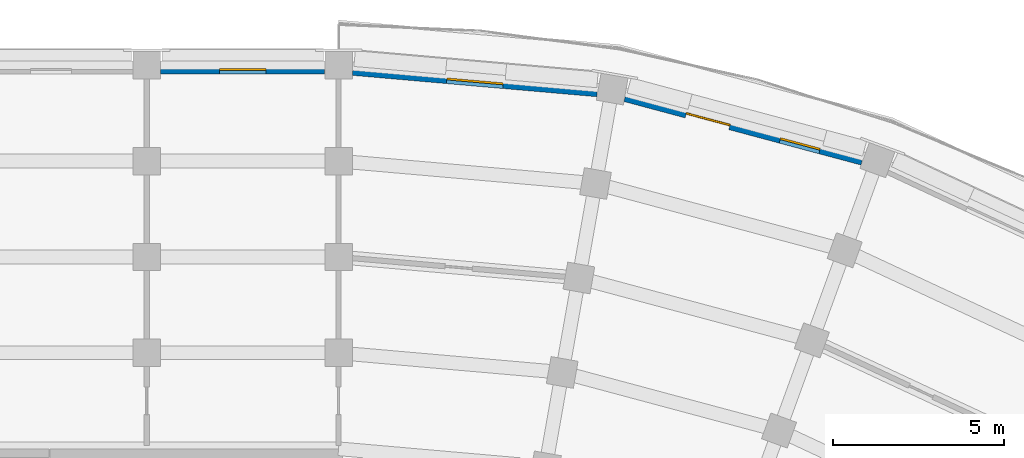
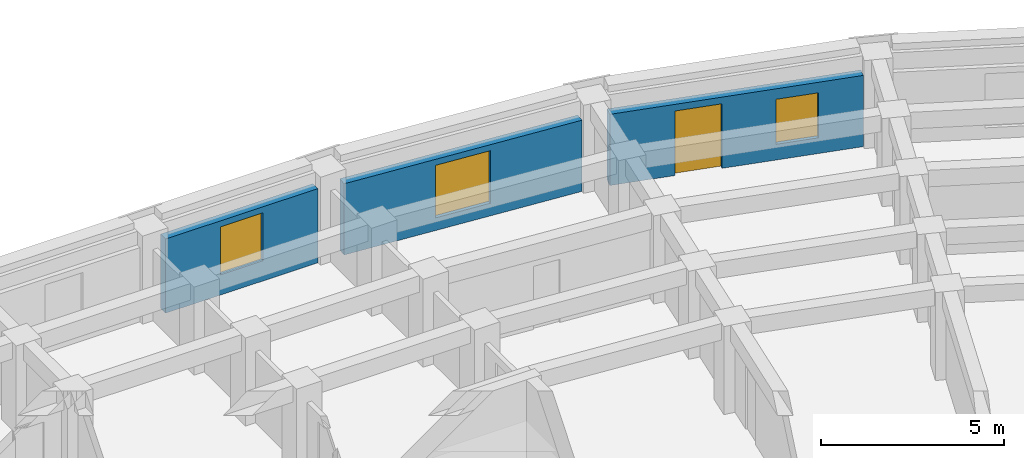
# One storey, part 36 of 54: 3 walls, 3 windows, 1 door, 4 openings.
"""IFC4 building model written with IfcOpenShell, lengths in metres."""

from ifc_helpers import new_model, si_unit, direction, frame, frame_2d, origin, place, context, subcontext, project, spatial, rectangle, extrude, material, layer, layer_set, type_object, element, fill, save


model = new_model("IFC4")

# Units and contexts
model_context = context("Model", 3, precision=1e-05, world=origin(), true_north=direction((0.0, 1.0)))
body_context = subcontext(model_context, "Body", "Model", "MODEL_VIEW")
ifc_project = project(units=[si_unit("LENGTHUNIT", "METRE"), si_unit("AREAUNIT", "SQUARE_METRE"), si_unit("VOLUMEUNIT", "CUBIC_METRE"), si_unit("PLANEANGLEUNIT", "RADIAN"), si_unit("MASSUNIT", "GRAM", prefix="KILO")], contexts=[model_context])

# Site, building, storey
site_placement = place(None, origin())
site = spatial("IfcSite", under=ifc_project, at=site_placement, CompositionType="ELEMENT")
building_placement = place(site_placement, origin())
building = spatial("IfcBuilding", under=site, at=building_placement, Name="Kiranvali Square Residences", CompositionType="ELEMENT")
storey_placement = place(building_placement, frame((0.0, 0.0, 11.85009765625)))
storey = spatial("IfcBuildingStorey", under=building, at=storey_placement, Name="L03", CompositionType="ELEMENT", Elevation=11.85009765625)

# Wall, opening, window
ifc_material_1 = material(Name="Breathable lime-rendered clay brick masonry", Category="masonry")
ifc_layer = layer(ifc_material_1, 0.27490234375)
ifc_layer_set = layer_set([ifc_layer], Name="Breathable lime-rendered clay brick masonry")
wall_type = type_object("IfcWallType", Name="WL-EXT-275", PredefinedType="STANDARD", material=ifc_layer_set)
wall_1_placement = place(storey_placement, frame((120.214599609375, 133.63818359375, 0.0), z_axis=(0.0, 0.0, 1.0), x_axis=(0.99619608453, -0.08713989423, 0.0)))
wall_1 = element("IfcWall", 1, at=wall_1_placement, inside=storey, type_object=wall_type, Name="L03 exterior wall B-L03-CRV-00", PredefinedType="STANDARD", context=body_context, shape_type="SweptSolid", body=[
    extrude(rectangle(XDim=7.1640625, YDim=0.27490234375, at=frame_2d((3.58203125, 0.0))), origin(), (0.0, 0.0, 1.0), 2.371826171875),
])
opening_1_placement = place(wall_1_placement, frame((2.757080078125, 0.0, 0.422119140625)))
opening_1 = element("IfcOpeningElement", 2, at=opening_1_placement, cuts=wall_1, Name="Opening W-13", PredefinedType="OPENING", context=body_context, shape_type="SweptSolid", body=[
    extrude(rectangle(XDim=1.64990234375, YDim=1.75, at=frame_2d((0.824951171875, 0.875))), frame((0.0, 0.1474609375, 0.0), z_axis=(0.0, -1.0, 0.0), x_axis=(1.0, 0.0, 0.0)), (0.0, 0.0, 1.0), 0.294921875),
])
ifc_material_2 = material(Name="Solar-control low-e double glazing", Category="glass")
window_type_1 = type_object("IfcWindowType", Name="WIN-RES-1650x1750", PartitioningType="DOUBLE_PANEL_VERTICAL", PredefinedType="WINDOW", material=ifc_material_2)
window_1_placement = place(opening_1_placement, origin())
window_1 = element("IfcWindow", 3, at=window_1_placement, inside=storey, type_object=window_type_1, Name="L03 recessed window B-L03-CRV-00", OverallHeight=1.75, OverallWidth=1.64990234375, PartitioningType="DOUBLE_PANEL_VERTICAL", PredefinedType="WINDOW", context=body_context, shape_type="SweptSolid", body=[
    extrude(rectangle(XDim=1.64990234375, YDim=1.75, at=frame_2d((0.824951171875, 0.875))), frame((0.0, 0.030029296875, 0.0), z_axis=(0.0, -1.0, 0.0), x_axis=(1.0, 0.0, 0.0)), (0.0, 0.0, 1.0), 0.06005859375),
])
fill(opening_1, window_1)

# Wall, openings, door, window
wall_2_placement = place(storey_placement, frame((128.16796875, 132.869873046875, 0.0), z_axis=(0.0, 0.0, 1.0), x_axis=(0.965923712619, -0.258826933296, 0.0)))
wall_2 = element("IfcWall", 4, at=wall_2_placement, inside=storey, type_object=wall_type, Name="L03 exterior wall B-L03-CRV-01", PredefinedType="STANDARD", context=body_context, shape_type="SweptSolid", body=[
    extrude(rectangle(XDim=7.1640625, YDim=0.27490234375, at=frame_2d((3.58203125, 0.0))), origin(), (0.0, 0.0, 1.0), 2.371826171875),
])
opening_2_placement = place(wall_2_placement, frame((4.6904296875, 0.0, 0.52197265625)))
opening_2 = element("IfcOpeningElement", 5, at=opening_2_placement, cuts=wall_2, Name="Opening W-06", PredefinedType="OPENING", context=body_context, shape_type="SweptSolid", body=[
    extrude(rectangle(XDim=1.199951171875, YDim=1.5, at=frame_2d((0.60009765625, 0.75))), frame((0.0, 0.1474609375, 0.0), z_axis=(0.0, -1.0, 0.0), x_axis=(1.0, 0.0, 0.0)), (0.0, 0.0, 1.0), 0.294921875),
])
opening_3_placement = place(wall_2_placement, frame((1.847412109375, 0.0, 0.0)))
opening_3 = element("IfcOpeningElement", 6, at=opening_3_placement, cuts=wall_2, Name="Opening ED-BAL-3", PredefinedType="OPENING", context=body_context, shape_type="SweptSolid", body=[
    extrude(rectangle(XDim=1.320068359375, YDim=2.14990234375, at=frame_2d((0.66015625, 1.074951171875))), frame((0.0, 0.1474609375, 0.0), z_axis=(0.0, -1.0, 0.0), x_axis=(1.0, 0.0, 0.0)), (0.0, 0.0, 1.0), 0.294921875),
])
ifc_material_3 = material(Name="Anodised bronze aluminium framing", Category="aluminium")
door_type = type_object("IfcDoorType", Name="DR-BAL-1320", OperationType="NOTDEFINED", PredefinedType="DOOR", material=ifc_material_3)
door_placement = place(opening_3_placement, origin())
door = element("IfcDoor", 7, at=door_placement, inside=storey, type_object=door_type, Name="L03 balcony terrace door", OperationType="SINGLE_SWING_RIGHT", OverallHeight=2.14990234375, OverallWidth=1.320068359375, PredefinedType="DOOR", context=body_context, shape_type="SweptSolid", body=[
    extrude(rectangle(XDim=1.320068359375, YDim=2.14990234375, at=frame_2d((0.66015625, 1.074951171875))), frame((0.0, 0.02490234375, 0.0), z_axis=(0.0, -1.0, 0.0), x_axis=(1.0, 0.0, 0.0)), (0.0, 0.0, 1.0), 0.050048828125),
])
fill(opening_3, door)
window_type_2 = type_object("IfcWindowType", Name="WIN-RES-1200x1500", PartitioningType="SINGLE_PANEL", PredefinedType="WINDOW", material=ifc_material_2)
window_2_placement = place(opening_2_placement, origin())
window_2 = element("IfcWindow", 8, at=window_2_placement, inside=storey, type_object=window_type_2, Name="L03 recessed window B-L03-CRV-01", OverallHeight=1.5, OverallWidth=1.199951171875, PartitioningType="SINGLE_PANEL", PredefinedType="WINDOW", context=body_context, shape_type="SweptSolid", body=[
    extrude(rectangle(XDim=1.199951171875, YDim=1.5, at=frame_2d((0.60009765625, 0.75))), frame((0.0, 0.030029296875, 0.0), z_axis=(0.0, -1.0, 0.0), x_axis=(1.0, 0.0, 0.0)), (0.0, 0.0, 1.0), 0.06005859375),
])
fill(opening_2, window_2)

# Wall, opening, window
wall_3_placement = place(storey_placement, frame((119.396484375, 133.675048828125, 0.0), z_axis=(0.0, 0.0, 1.0), x_axis=(-1.0, 0.0, 0.0)))
wall_3 = element("IfcWall", 9, at=wall_3_placement, inside=storey, type_object=wall_type, Name="L03 exterior wall B-L03-A1O-0", PredefinedType="STANDARD", context=body_context, shape_type="SweptSolid", body=[
    extrude(rectangle(XDim=4.79296875, YDim=0.27490234375, at=frame_2d((2.396484375, 0.0))), origin(), (0.0, 0.0, 1.0), 2.471923828125),
])
opening_4_placement = place(wall_3_placement, frame((1.721435546875, 0.0, 0.672119140625)))
opening_4 = element("IfcOpeningElement", 10, at=opening_4_placement, cuts=wall_3, Name="Opening W-14", PredefinedType="OPENING", context=body_context, shape_type="SweptSolid", body=[
    extrude(rectangle(XDim=1.35009765625, YDim=1.60009765625, at=frame_2d((0.675048828125, 0.800048828125))), frame((0.0, 0.1474609375, 0.0), z_axis=(0.0, -1.0, 0.0), x_axis=(1.0, 0.0, 0.0)), (0.0, 0.0, 1.0), 0.294921875),
])
window_type_3 = type_object("IfcWindowType", Name="WIN-RES-1350x1600", PartitioningType="DOUBLE_PANEL_VERTICAL", PredefinedType="WINDOW", material=ifc_material_2)
window_3_placement = place(opening_4_placement, origin())
window_3 = element("IfcWindow", 11, at=window_3_placement, inside=storey, type_object=window_type_3, Name="L03 recessed window B-L03-A1O-0", OverallHeight=1.60009765625, OverallWidth=1.35009765625, PartitioningType="DOUBLE_PANEL_VERTICAL", PredefinedType="WINDOW", context=body_context, shape_type="SweptSolid", body=[
    extrude(rectangle(XDim=1.35009765625, YDim=1.60009765625, at=frame_2d((0.675048828125, 0.800048828125))), frame((0.0, 0.030029296875, 0.0), z_axis=(0.0, -1.0, 0.0), x_axis=(1.0, 0.0, 0.0)), (0.0, 0.0, 1.0), 0.06005859375),
])
fill(opening_4, window_3)

save(model, "model.ifc")
